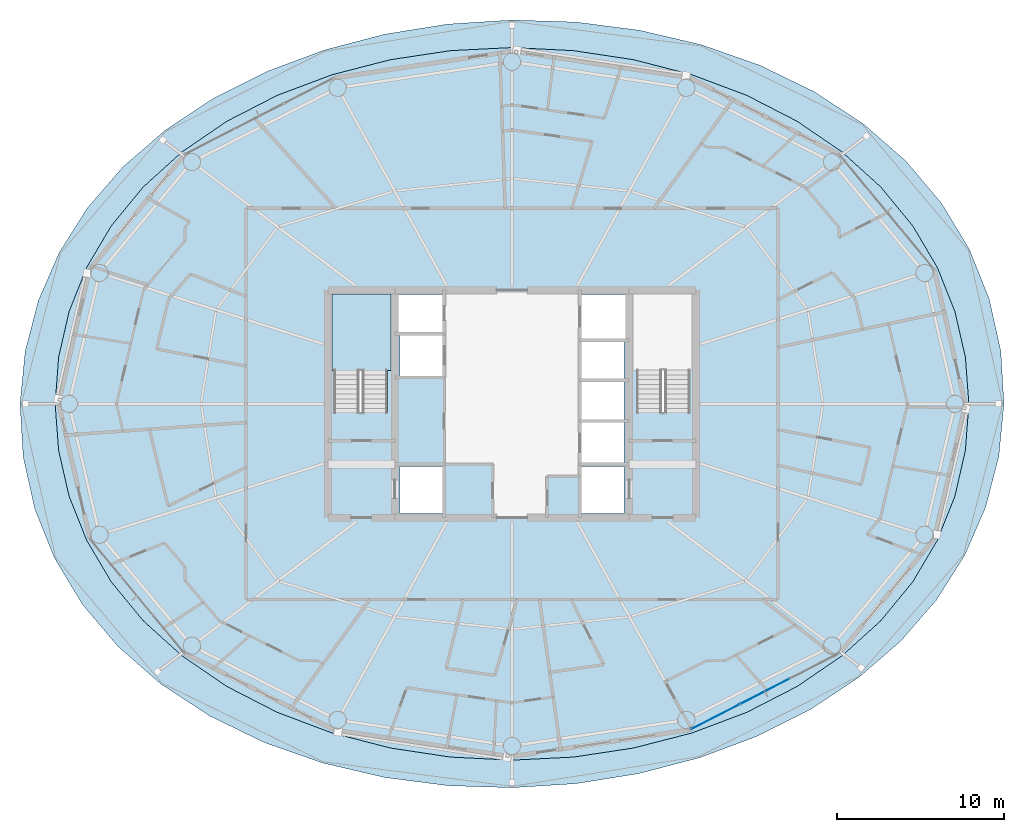
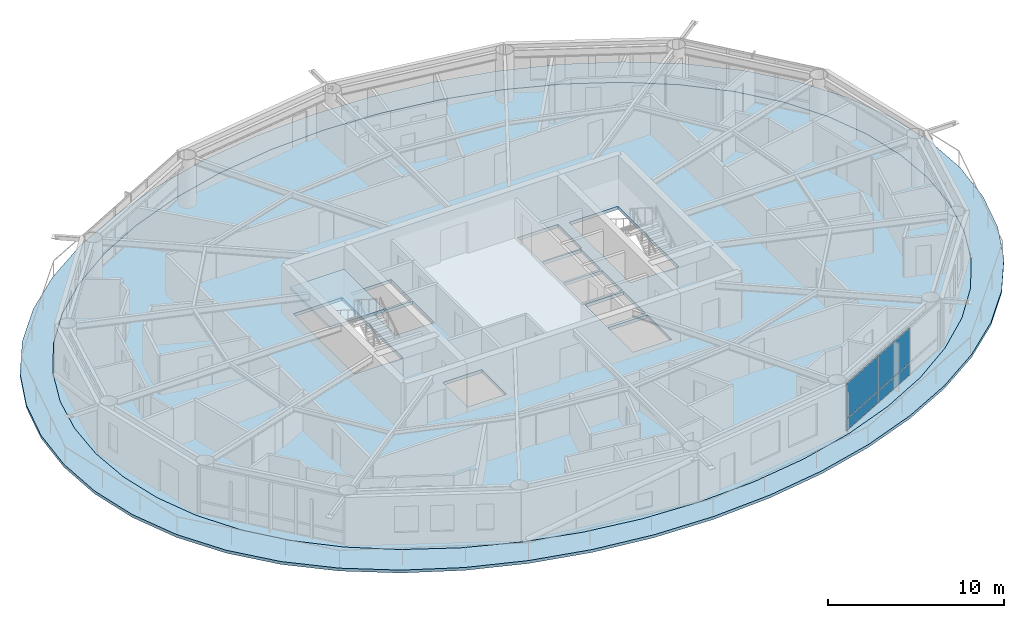
# One storey, part 18 of 30: 4 plates, 3 slabs, 2 elements without a shape of their own.
"""IFC4 building model written with IfcOpenShell, lengths in metres."""

from ifc_helpers import new_model, si_unit, direction, frame, origin, origin_2d, place, context, subcontext, project, spatial, polyline, rectangle, outline, extrude, material, layer, layer_set, type_object, element, aggregate, save


model = new_model("IFC4")

# Units and contexts
model_context = context("Model", 3, precision=1e-05, world=origin(), true_north=direction((0.0, 1.0)))
body_context = subcontext(model_context, "Body", "Model", "MODEL_VIEW")
ifc_project = project(units=[si_unit("LENGTHUNIT", "METRE"), si_unit("AREAUNIT", "SQUARE_METRE"), si_unit("VOLUMEUNIT", "CUBIC_METRE"), si_unit("PLANEANGLEUNIT", "RADIAN"), si_unit("MASSUNIT", "GRAM", prefix="KILO")], contexts=[model_context])

# Site, building, storey
site_placement = place(None, origin())
site = spatial("IfcSite", under=ifc_project, at=site_placement, CompositionType="ELEMENT")
building_placement = place(site_placement, origin())
building = spatial("IfcBuilding", under=site, at=building_placement, Name="Sarneth Arch Tower", CompositionType="ELEMENT")
storey_placement = place(building_placement, frame((0.0, 0.0, 168.60009765625)))
storey = spatial("IfcBuildingStorey", under=building, at=storey_placement, Name="L42", CompositionType="ELEMENT", Elevation=168.60009765625)

# Curtain wall, plates
ifc_material_1 = material(Name="Anodised aluminium Type AA25 and solar-control low-e laminated IGU", Category="aluminium")
ifc_layer_1 = layer(ifc_material_1, 0.169921875)
ifc_layer_set_1 = layer_set([ifc_layer_1], Name="Anodised aluminium Type AA25 and solar-control low-e laminated IGU")
curtain_wall_type = type_object("IfcCurtainWallType", Name="CW-RES-MID", PredefinedType="NOTDEFINED", material=ifc_layer_set_1)
curtain_wall_placement = place(storey_placement, origin())
curtain_wall = element("IfcCurtainWall", 1, at=curtain_wall_placement, inside=storey, type_object=curtain_wall_type, Name="L42 Unitised curtain wall facet 14", PredefinedType="NOTDEFINED")
ifc_material_2 = material(Name="Solar-control low-e laminated IGU", Category="glass")
ifc_layer_2 = layer(ifc_material_2, 0.028076171875)
ifc_layer_set_2 = layer_set([ifc_layer_2], Name="Solar-control low-e laminated IGU")
plate_type = type_object("IfcPlateType", Name="CW-PANEL", PredefinedType="CURTAIN_PANEL", material=ifc_layer_set_2)
plate_1_placement = place(storey_placement, frame((60.16162109375, 23.29296875, 0.059814453125), z_axis=(0.0, 0.0, 1.0), x_axis=(0.88987293003, 0.456208470329, 0.0)))
plate_1 = element("IfcPlate", 2, at=plate_1_placement, type_object=plate_type, Name="Curtain wall glazed vision pane CW-L42-F14/P00-00", PredefinedType="CURTAIN_PANEL", context=body_context, shape_type="SweptSolid", body=[
    extrude(rectangle(XDim=3.248779296875, YDim=0.028076171875, at=origin_2d()), origin(), (0.0, 0.0, 1.0), 0.81005859375),
])
plate_2_placement = place(storey_placement, frame((60.16162109375, 23.29296875, 0.93017578125), z_axis=(0.0, 0.0, 1.0), x_axis=(0.88987293003, 0.456208470329, 0.0)))
plate_2 = element("IfcPlate", 3, at=plate_2_placement, type_object=plate_type, Name="Curtain wall glazed vision pane CW-L42-F14/P00-01", PredefinedType="CURTAIN_PANEL", context=body_context, shape_type="SweptSolid", body=[
    extrude(rectangle(XDim=3.248779296875, YDim=0.028076171875, at=origin_2d()), origin(), (0.0, 0.0, 1.0), 2.389892578125),
])
plate_3_placement = place(storey_placement, frame((63.119384765625, 24.809326171875, 0.059814453125), z_axis=(0.0, 0.0, 1.0), x_axis=(0.88987293003, 0.456208470329, 0.0)))
plate_3 = element("IfcPlate", 4, at=plate_3_placement, type_object=plate_type, Name="Curtain wall glazed vision pane CW-L42-F14/P01-00", PredefinedType="CURTAIN_PANEL", context=body_context, shape_type="SweptSolid", body=[
    extrude(rectangle(XDim=3.27880859375, YDim=0.028076171875, at=origin_2d()), origin(), (0.0, 0.0, 1.0), 0.81005859375),
])
plate_4_placement = place(storey_placement, frame((63.119384765625, 24.809326171875, 0.93017578125), z_axis=(0.0, 0.0, 1.0), x_axis=(0.88987293003, 0.456208470329, 0.0)))
plate_4 = element("IfcPlate", 5, at=plate_4_placement, type_object=plate_type, Name="Curtain wall glazed vision pane CW-L42-F14/P01-01", PredefinedType="CURTAIN_PANEL", context=body_context, shape_type="SweptSolid", body=[
    extrude(rectangle(XDim=3.27880859375, YDim=0.028076171875, at=origin_2d()), origin(), (0.0, 0.0, 1.0), 2.389892578125),
])
aggregate(curtain_wall, [plate_1, plate_2, plate_3, plate_4])

# Slab
ifc_material_3 = material(Name="Concrete C50/60", Category="concrete")
ifc_layer_3 = layer(ifc_material_3, 0.199951171875)
ifc_layer_set_3 = layer_set([ifc_layer_3], Name="Concrete C50/60")
slab_type_1 = type_object("IfcSlabType", Name="SLAB-BALC-200", PredefinedType="FLOOR", material=ifc_layer_set_3)
slab_1_placement = place(storey_placement, frame((0.0, 0.0, -0.2001953125)))
element("IfcSlab", 6, at=slab_1_placement, inside=storey, type_object=slab_type_1, Name="L42 Helical balcony band slab", PredefinedType="FLOOR", context=body_context, shape_type="SweptSolid", body=[
    extrude(outline(polyline([(77.4140625, 42.0), (77.225830078125, 45.15869140625), (76.53759765625, 48.258056640625), (75.3525390625, 51.222900390625), (73.684326171875, 53.990478515625), (71.554931640625, 56.51123046875), (68.998779296875, 58.74609375), (66.064208984375, 60.66552734375), (62.81201171875, 62.24658203125), (59.31005859375, 63.47314453125), (55.62939453125, 64.334716796875), (51.83837890625, 64.82666015625), (48.0, 64.94921875), (44.173828125, 64.706298828125), (40.4169921875, 64.10546875), (36.7890625, 63.157470703125), (33.35009765625, 61.87548828125), (30.162109375, 60.27490234375), (27.282470703125, 58.37255859375), (24.7607421875, 56.18798828125), (22.635986328125, 53.74267578125), (20.93603515625, 51.061767578125), (19.682373046875, 48.178466796875), (18.89306640625, 45.137451171875), (18.5859375, 42.0), (18.774169921875, 38.84130859375), (19.46240234375, 35.741943359375), (20.6474609375, 32.777099609375), (22.315673828125, 30.009521484375), (24.445068359375, 27.48876953125), (27.001220703125, 25.25390625), (29.935791015625, 23.33447265625), (33.18798828125, 21.75341796875), (36.68994140625, 20.52685546875), (40.37060546875, 19.665283203125), (44.16162109375, 19.17333984375), (48.0, 19.05078125), (51.826171875, 19.293701171875), (55.5830078125, 19.89453125), (59.2109375, 20.842529296875), (62.64990234375, 22.12451171875), (65.837890625, 23.72509765625), (68.717529296875, 25.62744140625), (71.2392578125, 27.81201171875), (73.364013671875, 30.25732421875), (75.06396484375, 32.938232421875), (76.317626953125, 35.821533203125), (77.10693359375, 38.862548828125), (77.4140625, 42.0)]), holes=[polyline([(75.313232421875, 42.0), (75.10595703125, 44.7802734375), (74.48095703125, 47.512939453125), (73.431396484375, 50.151123046875), (71.9521484375, 52.64990234375), (70.0458984375, 54.966552734375), (67.730712890625, 57.061279296875), (65.04052734375, 58.8984375), (62.025390625, 60.4462890625), (58.7470703125, 61.6787109375), (55.27197265625, 62.57421875), (51.667724609375, 63.11767578125), (48.0, 63.300048828125), (44.332275390625, 63.11767578125), (40.72802734375, 62.57421875), (37.2529296875, 61.6787109375), (33.974609375, 60.4462890625), (30.95947265625, 58.8984375), (28.269287109375, 57.061279296875), (25.9541015625, 54.966552734375), (24.0478515625, 52.64990234375), (22.568603515625, 50.151123046875), (21.51904296875, 47.512939453125), (20.89404296875, 44.7802734375), (20.686767578125, 42.0), (20.89404296875, 39.2197265625), (21.51904296875, 36.487060546875), (22.568603515625, 33.848876953125), (24.0478515625, 31.35009765625), (25.9541015625, 29.033447265625), (28.269287109375, 26.938720703125), (30.95947265625, 25.1015625), (33.974609375, 23.5537109375), (37.2529296875, 22.3212890625), (40.72802734375, 21.42578125), (44.332275390625, 20.88232421875), (48.0, 20.699951171875), (51.667724609375, 20.88232421875), (55.27197265625, 21.42578125), (58.7470703125, 22.3212890625), (62.025390625, 23.5537109375), (65.04052734375, 25.1015625), (67.730712890625, 26.938720703125), (70.0458984375, 29.033447265625), (71.9521484375, 31.35009765625), (73.431396484375, 33.848876953125), (74.48095703125, 36.487060546875), (75.10595703125, 39.2197265625), (75.313232421875, 42.0)])]), origin(), (0.0, 0.0, 1.0), 0.2001953125),
])

# Stair, slab
ifc_material_4 = material(Name="Concrete C50/60", Category="concrete")
stair_type = type_object("IfcStairType", Name="STAIR-CORE-RC", PredefinedType="HALF_TURN_STAIR", material=ifc_material_4)
stair_placement = place(storey_placement, origin())
stair = element("IfcStair", 7, at=stair_placement, inside=storey, type_object=stair_type, Name="L42 Core Exit Stair 1", PredefinedType="HALF_TURN_STAIR")
ifc_material_5 = material(Name="Concrete C50/60", Category="concrete")
ifc_layer_4 = layer(ifc_material_5, 0.199951171875)
ifc_layer_set_4 = layer_set([ifc_layer_4], Name="Concrete C50/60")
slab_type_2 = type_object("IfcSlabType", Name="SLAB-LANDING-200", PredefinedType="LANDING", material=ifc_layer_set_4)
slab_2_placement = place(storey_placement, frame((0.0, 0.0, 1.599853515625)))
slab_2 = element("IfcSlab", 8, at=slab_2_placement, type_object=slab_type_2, Name="ST-1 landing 1", PredefinedType="LANDING", context=body_context, shape_type="SweptSolid", body=[
    extrude(outline(polyline([(37.22509765625, 43.985107421875), (40.77490234375, 43.985107421875), (40.77490234375, 48.574951171875), (37.22509765625, 48.574951171875), (37.22509765625, 43.985107421875)])), origin(), (0.0, 0.0, 1.0), 0.199951171875),
])
aggregate(stair, [slab_2])

# Slab
ifc_material_6 = material(Name="Concrete C50/60", Category="concrete")
ifc_layer_5 = layer(ifc_material_6, 0.219970703125)
ifc_layer_set_5 = layer_set([ifc_layer_5], Name="Concrete C50/60")
slab_type_3 = type_object("IfcSlabType", Name="SLAB-TOWER-220", PredefinedType="FLOOR", material=ifc_layer_set_5)
slab_3_placement = place(storey_placement, frame((0.0, 0.0, -0.22021484375)))
element("IfcSlab", 9, at=slab_3_placement, inside=storey, type_object=slab_type_3, Name="L42 Elliptical floor slab", PredefinedType="FLOOR", context=body_context, shape_type="SweptSolid", body=[
    extrude(outline(polyline([(75.313232421875, 42.0), (75.10595703125, 44.7802734375), (74.48095703125, 47.512939453125), (73.431396484375, 50.151123046875), (71.9521484375, 52.64990234375), (70.0458984375, 54.966552734375), (67.730712890625, 57.061279296875), (65.04052734375, 58.8984375), (62.025390625, 60.4462890625), (58.7470703125, 61.6787109375), (55.27197265625, 62.57421875), (51.667724609375, 63.11767578125), (48.0, 63.300048828125), (44.332275390625, 63.11767578125), (40.72802734375, 62.57421875), (37.2529296875, 61.6787109375), (33.974609375, 60.4462890625), (30.95947265625, 58.8984375), (28.269287109375, 57.061279296875), (25.9541015625, 54.966552734375), (24.0478515625, 52.64990234375), (22.568603515625, 50.151123046875), (21.51904296875, 47.512939453125), (20.89404296875, 44.7802734375), (20.686767578125, 42.0), (20.89404296875, 39.2197265625), (21.51904296875, 36.487060546875), (22.568603515625, 33.848876953125), (24.0478515625, 31.35009765625), (25.9541015625, 29.033447265625), (28.269287109375, 26.938720703125), (30.95947265625, 25.1015625), (33.974609375, 23.5537109375), (37.2529296875, 22.3212890625), (40.72802734375, 21.42578125), (44.332275390625, 20.88232421875), (48.0, 20.699951171875), (51.667724609375, 20.88232421875), (55.27197265625, 21.42578125), (58.7470703125, 22.3212890625), (62.025390625, 23.5537109375), (65.04052734375, 25.1015625), (67.730712890625, 26.938720703125), (70.0458984375, 29.033447265625), (71.9521484375, 31.35009765625), (73.431396484375, 33.848876953125), (74.48095703125, 36.487060546875), (75.10595703125, 39.2197265625), (75.313232421875, 42.0)]), holes=[polyline([(37.35009765625, 41.489990234375), (40.550048828125, 41.489990234375), (40.550048828125, 48.39990234375), (37.35009765625, 48.39990234375), (37.35009765625, 41.489990234375)]), polyline([(55.449951171875, 41.489990234375), (58.64990234375, 41.489990234375), (58.64990234375, 48.39990234375), (55.449951171875, 48.39990234375), (55.449951171875, 41.489990234375)]), polyline([(41.199951171875, 46.25), (43.85009765625, 46.25), (43.85009765625, 48.550048828125), (41.199951171875, 48.550048828125), (41.199951171875, 46.25)]), polyline([(41.300048828125, 35.449951171875), (43.85009765625, 35.449951171875), (43.85009765625, 38.25), (41.300048828125, 38.25), (41.300048828125, 35.449951171875)]), polyline([(52.14990234375, 35.449951171875), (54.699951171875, 35.449951171875), (54.699951171875, 38.25), (52.14990234375, 38.25), (52.14990234375, 35.449951171875)]), polyline([(52.14990234375, 45.85009765625), (54.800048828125, 45.85009765625), (54.800048828125, 48.550048828125), (52.14990234375, 48.550048828125), (52.14990234375, 45.85009765625)]), polyline([(41.300048828125, 43.64990234375), (43.85009765625, 43.64990234375), (43.85009765625, 46.10009765625), (41.300048828125, 46.10009765625), (41.300048828125, 43.64990234375)]), polyline([(52.14990234375, 38.449951171875), (54.699951171875, 38.449951171875), (54.699951171875, 40.89990234375), (52.14990234375, 40.89990234375), (52.14990234375, 38.449951171875)]), polyline([(52.14990234375, 41.050048828125), (54.699951171875, 41.050048828125), (54.699951171875, 43.35009765625), (52.14990234375, 43.35009765625), (52.14990234375, 41.050048828125)]), polyline([(52.14990234375, 43.5), (54.699951171875, 43.5), (54.699951171875, 45.75), (52.14990234375, 45.75), (52.14990234375, 43.5)])]), origin(), (0.0, 0.0, 1.0), 0.22021484375),
])

save(model, "model.ifc")
